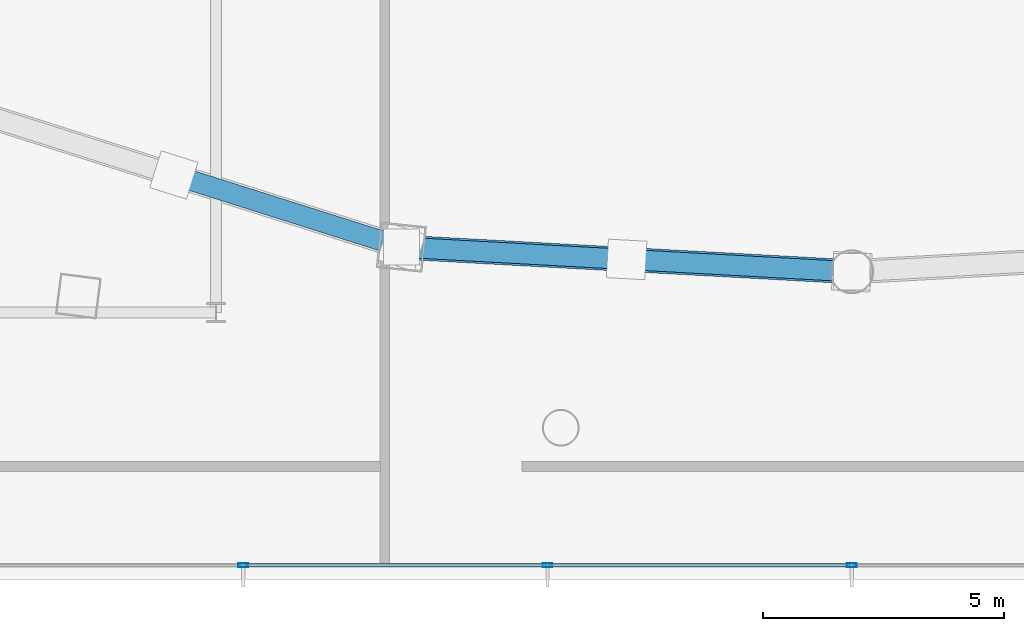
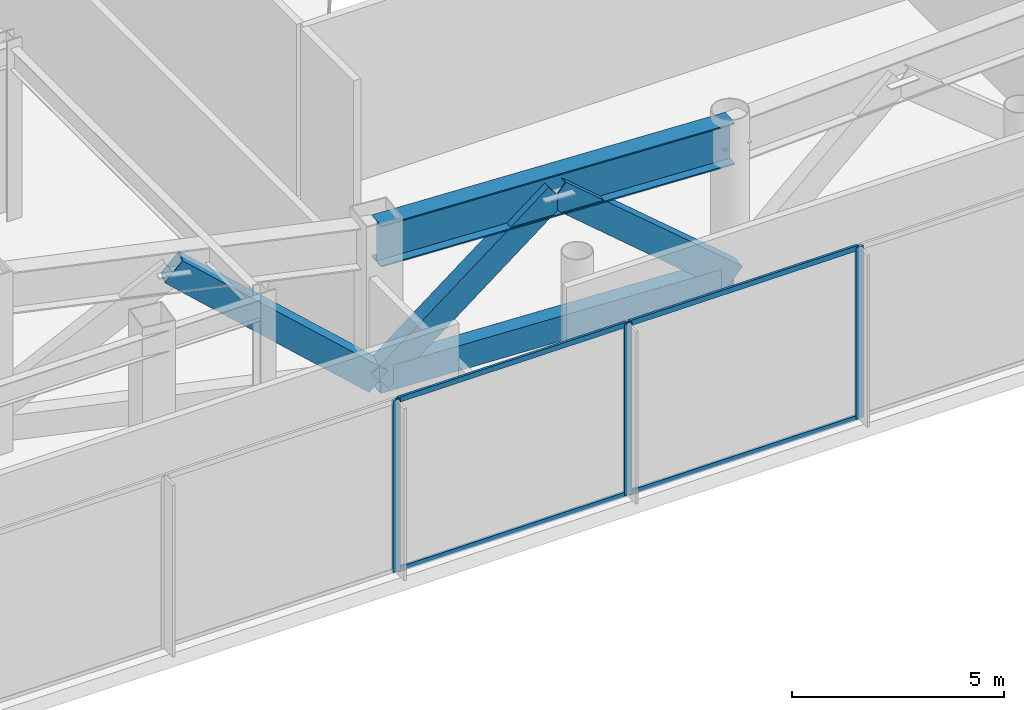
# One storey, part 6 of 43: 11 members, 1 beam, 1 element without a shape of its own.
"""IFC4 building model written with IfcOpenShell, lengths in metres."""

from ifc_helpers import new_model, si_unit, direction, frame, origin, origin_2d, place, context, subcontext, project, spatial, hollow_rectangle, i_section, extrude, material, layer, layer_set, material_profile, profile_set, type_object, element, aggregate, save


model = new_model("IFC4")

# Units and contexts
model_context = context("Model", 3, precision=1e-05, world=origin(), true_north=direction((0.0, 1.0)))
body_context = subcontext(model_context, "Body", "Model", "MODEL_VIEW")
ifc_project = project(units=[si_unit("LENGTHUNIT", "METRE"), si_unit("AREAUNIT", "SQUARE_METRE"), si_unit("VOLUMEUNIT", "CUBIC_METRE"), si_unit("PLANEANGLEUNIT", "RADIAN"), si_unit("MASSUNIT", "GRAM", prefix="KILO")], contexts=[model_context])

# Site, building, storey
site_placement = place(None, origin())
site = spatial("IfcSite", under=ifc_project, at=site_placement, CompositionType="ELEMENT")
building_placement = place(site_placement, origin())
building = spatial("IfcBuilding", under=site, at=building_placement, Name="Orvanel Arch Residences", CompositionType="ELEMENT")
storey_placement = place(building_placement, frame((0.0, 0.0, 18.39990234375)))
storey = spatial("IfcBuildingStorey", under=building, at=storey_placement, Name="L04", CompositionType="ELEMENT", Elevation=18.39990234375)

# Members
ifc_material_1 = material(Name="Structural steel AS/NZS 3678 Grade 350", Category="steel")
ifc_material_profile_1 = material_profile(ifc_material_1, hollow_rectangle(XDim=0.419921875, YDim=0.719970703125, WallThickness=0.02490234375, at=origin_2d()), Name="RHS720x420x25")
ifc_profile_set_1 = profile_set([ifc_material_profile_1], Name="Structural steel AS/NZS 3678 Grade 350")
member_type_1 = type_object("IfcMemberType", Name="BR-720RHS", PredefinedType="BRACE", material=ifc_profile_set_1)
member_1_placement = place(storey_placement, frame((23.64892578125, 7.35498046875, 0.4501953125), z_axis=(-0.748415192189, 0.237290116224, 0.619328750215), x_axis=(-0.302229669889, -0.953235137119, 0.0)))
element("IfcMember", 1, at=member_1_placement, inside=storey, type_object=member_type_1, Name="L04 Transfer Truss Chevron Web 01.2", PredefinedType="BRACE", context=body_context, shape_type="SweptSolid", body=[
    extrude(hollow_rectangle(XDim=0.419921875, YDim=0.719970703125, WallThickness=0.02490234375, at=origin_2d()), origin(), (0.0, 0.0, 1.0), 6.313232421875),
])
member_2_placement = place(storey_placement, frame((23.64892578125, 7.35498046875, 0.4501953125), z_axis=(0.766483356314, -0.041779805983, 0.640903824537), x_axis=(0.054427635214, 0.998517717682, 0.0)))
element("IfcMember", 2, at=member_2_placement, inside=storey, type_object=member_type_1, Name="L04 Transfer Truss Chevron Web 02.1", PredefinedType="BRACE", context=body_context, shape_type="SweptSolid", body=[
    extrude(hollow_rectangle(XDim=0.419921875, YDim=0.719970703125, WallThickness=0.02490234375, at=origin_2d()), origin(), (0.0, 0.0, 1.0), 6.1005859375),
])
member_3_placement = place(storey_placement, frame((33.0, 6.843994140625, 0.4501953125), z_axis=(-0.766410888305, 0.04198470008, 0.640977094167), x_axis=(-0.054698915632, -0.998502893651, 0.0)))
element("IfcMember", 3, at=member_3_placement, inside=storey, type_object=member_type_1, Name="L04 Transfer Truss Chevron Web 02.2", PredefinedType="BRACE", context=body_context, shape_type="SweptSolid", body=[
    extrude(hollow_rectangle(XDim=0.419921875, YDim=0.719970703125, WallThickness=0.02490234375, at=origin_2d()), origin(), (0.0, 0.0, 1.0), 6.099853515625),
])
ifc_material_profile_2 = material_profile(ifc_material_1, hollow_rectangle(XDim=0.419921875, YDim=0.719970703125, WallThickness=0.02490234375, at=origin_2d()), Name="RHS720x420x25")
ifc_profile_set_2 = profile_set([ifc_material_profile_2], Name="Structural steel AS/NZS 3678 Grade 350")
member_type_2 = type_object("IfcMemberType", Name="CH-720RHS", PredefinedType="CHORD", material=ifc_profile_set_2)
member_4_placement = place(storey_placement, frame((23.64892578125, 7.35498046875, 0.4501953125), z_axis=(0.998510315598, -0.054563262768, 0.0), x_axis=(0.054563262768, 0.998510315598, 0.0)))
element("IfcMember", 4, at=member_4_placement, inside=storey, type_object=member_type_2, Name="L04 Transfer Truss Bottom Chord 02", PredefinedType="CHORD", context=body_context, shape_type="SweptSolid", body=[
    extrude(hollow_rectangle(XDim=0.419921875, YDim=0.719970703125, WallThickness=0.02490234375, at=origin_2d()), origin(), (0.0, 0.0, 1.0), 9.364990234375),
])

# Curtain wall, members
ifc_material_2 = material(Name="Bronze-anodised aluminium AA6063-T6", Category="aluminium")
ifc_layer = layer(ifc_material_2, 0.199951171875)
ifc_layer_set = layer_set([ifc_layer], Name="Bronze-anodised aluminium AA6063-T6")
curtain_wall_type = type_object("IfcCurtainWallType", Name="CW1-POD-SYS", PredefinedType="NOTDEFINED", material=ifc_layer_set)
curtain_wall_placement = place(storey_placement, origin())
curtain_wall = element("IfcCurtainWall", 5, at=curtain_wall_placement, inside=storey, type_object=curtain_wall_type, Name="L04 CW1-POD-SYS Unitised Curtain Wall", PredefinedType="NOTDEFINED")
ifc_material_profile_3 = material_profile(ifc_material_2, hollow_rectangle(XDim=0.074951171875, YDim=0.199951171875, WallThickness=0.0048828125, at=origin_2d()), Name="ALU200x75x5")
ifc_profile_set_3 = profile_set([ifc_material_profile_3], Name="Bronze-anodised aluminium AA6063-T6")
member_type_3 = type_object("IfcMemberType", Name="MUL-200x75", PredefinedType="MULLION", material=ifc_profile_set_3)
member_5_placement = place(storey_placement, frame((20.364013671875, 0.75, 0.0), z_axis=(0.0, 0.0, 1.0), x_axis=(0.0, 1.0, 0.0)))
member_5 = element("IfcMember", 6, at=member_5_placement, type_object=member_type_3, Name="CW-S1 mullion 4", PredefinedType="MULLION", context=body_context, shape_type="SweptSolid", body=[
    extrude(hollow_rectangle(XDim=0.074951171875, YDim=0.199951171875, WallThickness=0.0048828125, at=origin_2d()), origin(), (0.0, 0.0, 1.0), 4.960205078125),
])
member_6_placement = place(storey_placement, frame((26.681884765625, 0.75, 0.0), z_axis=(0.0, 0.0, 1.0), x_axis=(0.0, 1.0, 0.0)))
member_6 = element("IfcMember", 7, at=member_6_placement, type_object=member_type_3, Name="CW-S1 mullion 5", PredefinedType="MULLION", context=body_context, shape_type="SweptSolid", body=[
    extrude(hollow_rectangle(XDim=0.074951171875, YDim=0.199951171875, WallThickness=0.0048828125, at=origin_2d()), origin(), (0.0, 0.0, 1.0), 4.960205078125),
])
member_7_placement = place(storey_placement, frame((33.0, 0.75, 0.0), z_axis=(0.0, 0.0, 1.0), x_axis=(0.0, 1.0, 0.0)))
member_7 = element("IfcMember", 8, at=member_7_placement, type_object=member_type_3, Name="CW-S1 mullion 6", PredefinedType="MULLION", context=body_context, shape_type="SweptSolid", body=[
    extrude(hollow_rectangle(XDim=0.074951171875, YDim=0.199951171875, WallThickness=0.0048828125, at=origin_2d()), origin(), (0.0, 0.0, 1.0), 4.960205078125),
])

# Beam
ifc_material_profile_4 = material_profile(ifc_material_1, i_section(OverallWidth=0.5, OverallDepth=1.199951171875, WebThickness=0.02001953125, FlangeThickness=0.035888671875, at=origin_2d()), Name="1200WB455")
ifc_profile_set_4 = profile_set([ifc_material_profile_4], Name="Structural steel AS/NZS 3678 Grade 350")
beam_type = type_object("IfcBeamType", Name="TG-1200WB", PredefinedType="USERDEFINED", material=ifc_profile_set_4)
beam_placement = place(storey_placement, frame((23.64892578125, 7.35498046875, 4.360107421875), z_axis=(0.998510315598, -0.054563262768, 0.0), x_axis=(0.054563262768, 0.998510315598, 0.0)))
element("IfcBeam", 9, at=beam_placement, inside=storey, type_object=beam_type, Name="L04 Podium Transfer Belt Girder 02", ObjectType="TRANSFER GIRDER", PredefinedType="USERDEFINED", context=body_context, shape_type="SweptSolid", body=[
    extrude(i_section(OverallWidth=0.5, OverallDepth=1.199951171875, WebThickness=0.02001953125, FlangeThickness=0.035888671875, at=origin_2d()), origin(), (0.0, 0.0, 1.0), 9.364990234375),
])

# Member
ifc_material_profile_5 = material_profile(ifc_material_2, hollow_rectangle(XDim=0.06494140625, YDim=0.14990234375, WallThickness=0.00390625, at=origin_2d()), Name="ALU150x65x4")
ifc_profile_set_5 = profile_set([ifc_material_profile_5], Name="Bronze-anodised aluminium AA6063-T6")
member_type_4 = type_object("IfcMemberType", Name="TRN-150x65", PredefinedType="USERDEFINED", material=ifc_profile_set_5)
member_8_placement = place(storey_placement, frame((20.401611328125, 0.75, 0.03271484375), z_axis=(1.0, 0.0, 0.0), x_axis=(0.0, 1.0, 0.0)))
member_8 = element("IfcMember", 10, at=member_8_placement, type_object=member_type_4, Name="CW-S1 transom 4.1", ObjectType="TRANSOM", PredefinedType="USERDEFINED", context=body_context, shape_type="SweptSolid", body=[
    extrude(hollow_rectangle(XDim=0.06494140625, YDim=0.14990234375, WallThickness=0.00390625, at=origin_2d()), origin(), (0.0, 0.0, 1.0), 6.242919921875),
])

member_9_placement = place(storey_placement, frame((20.401611328125, 0.75, 4.927490234375), z_axis=(1.0, 0.0, 0.0), x_axis=(0.0, 1.0, 0.0)))
member_9 = element("IfcMember", 11, at=member_9_placement, type_object=member_type_4, Name="CW-S1 transom 4.2", ObjectType="TRANSOM", PredefinedType="USERDEFINED", context=body_context, shape_type="SweptSolid", body=[
    extrude(hollow_rectangle(XDim=0.06494140625, YDim=0.14990234375, WallThickness=0.00390625, at=origin_2d()), origin(), (0.0, 0.0, 1.0), 6.242919921875),
])

member_10_placement = place(storey_placement, frame((26.719482421875, 0.75, 0.03271484375), z_axis=(1.0, 0.0, 0.0), x_axis=(0.0, 1.0, 0.0)))
member_10 = element("IfcMember", 12, at=member_10_placement, type_object=member_type_4, Name="CW-S1 transom 5.1", ObjectType="TRANSOM", PredefinedType="USERDEFINED", context=body_context, shape_type="SweptSolid", body=[
    extrude(hollow_rectangle(XDim=0.06494140625, YDim=0.14990234375, WallThickness=0.00390625, at=origin_2d()), origin(), (0.0, 0.0, 1.0), 6.242919921875),
])

member_11_placement = place(storey_placement, frame((26.719482421875, 0.75, 4.927490234375), z_axis=(1.0, 0.0, 0.0), x_axis=(0.0, 1.0, 0.0)))
member_11 = element("IfcMember", 13, at=member_11_placement, type_object=member_type_4, Name="CW-S1 transom 5.2", ObjectType="TRANSOM", PredefinedType="USERDEFINED", context=body_context, shape_type="SweptSolid", body=[
    extrude(hollow_rectangle(XDim=0.06494140625, YDim=0.14990234375, WallThickness=0.00390625, at=origin_2d()), origin(), (0.0, 0.0, 1.0), 6.242919921875),
])

aggregate(curtain_wall, [member_5, member_6, member_7, member_8, member_9, member_10, member_11])

save(model, "model.ifc")
